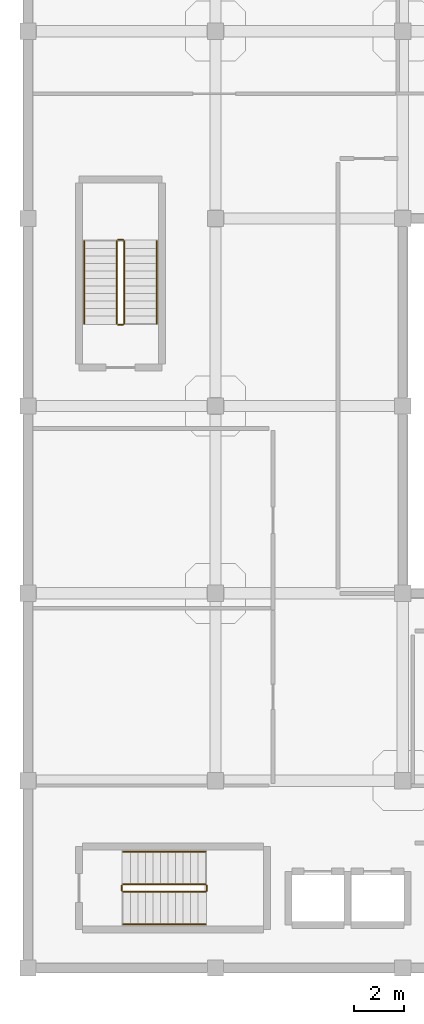
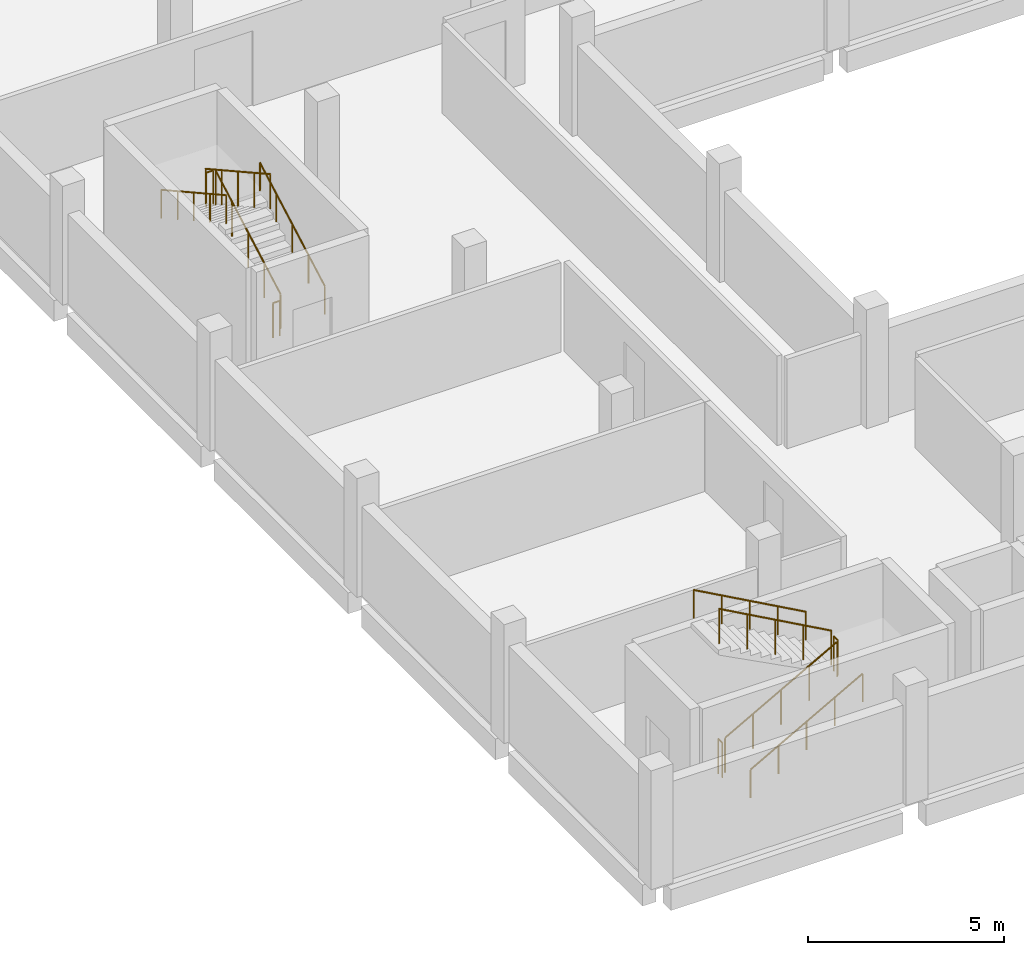
# One storey, part 39 of 47: 12 railings.
"""IFC4 building model written with IfcOpenShell, lengths in metres."""

from ifc_helpers import new_model, si_unit, direction, frame, origin, origin_2d, place, context, subcontext, project, spatial, circle, extrude, material, type_object, element, save


model = new_model("IFC4")

# Units and contexts
model_context = context("Model", 3, precision=1e-05, world=origin(), true_north=direction((0.0, 1.0)))
body_context = subcontext(model_context, "Body", "Model", "MODEL_VIEW")
ifc_project = project(units=[si_unit("LENGTHUNIT", "METRE"), si_unit("AREAUNIT", "SQUARE_METRE"), si_unit("VOLUMEUNIT", "CUBIC_METRE"), si_unit("PLANEANGLEUNIT", "RADIAN"), si_unit("MASSUNIT", "GRAM", prefix="KILO")], contexts=[model_context])

# Site, building, storey
site_placement = place(None, origin())
site = spatial("IfcSite", under=ifc_project, at=site_placement, CompositionType="ELEMENT")
building_placement = place(site_placement, origin())
building = spatial("IfcBuilding", under=site, at=building_placement, Name="Mawjan Specialist Oncology Clinic", CompositionType="ELEMENT")
storey_placement = place(building_placement, frame((0.0, 0.0, 9.5)))
storey = spatial("IfcBuildingStorey", under=building, at=storey_placement, Name="L02", CompositionType="ELEMENT", Elevation=9.5)

# Railings
ifc_material_1 = material(Name="Powder-coated steel stair guard with vertical infill pickets", Category="steel")
railing_type_1 = type_object("IfcRailingType", Name="GR-110", PredefinedType="GUARDRAIL", material=ifc_material_1)
railing_1_placement = place(storey_placement, frame((3.800048828125, 3.85009765625, 0.166748046875)))
element("IfcRailing", 1, at=railing_1_placement, inside=storey, type_object=railing_type_1, Name="L02 ST-01 stair guard 1", PredefinedType="GUARDRAIL", context=body_context, shape_type="SweptSolid", body=[
    extrude(circle(Radius=0.02392578125, at=origin_2d()), frame((0.0, 0.0, 1.076171875), z_axis=(0.874169478083, 0.0, 0.485620966999), x_axis=(0.0, 1.0, 0.0)), (0.0, 0.0, 1.0), 3.775146484375),
    extrude(circle(Radius=0.02099609375, at=origin_2d()), origin(), (0.0, 0.0, 1.0), 1.052001953125),
    extrude(circle(Radius=0.02099609375, at=origin_2d()), frame((0.824951171875, 0.0, 0.458251953125)), (0.0, 0.0, 1.0), 1.052001953125),
    extrude(circle(Radius=0.02099609375, at=origin_2d()), frame((1.64990234375, 0.0, 0.91650390625)), (0.0, 0.0, 1.0), 1.052001953125),
    extrude(circle(Radius=0.02099609375, at=origin_2d()), frame((2.47509765625, 0.0, 1.375)), (0.0, 0.0, 1.0), 1.052001953125),
    extrude(circle(Radius=0.02099609375, at=origin_2d()), frame((3.300048828125, 0.0, 1.833251953125)), (0.0, 0.0, 1.0), 1.052001953125),
])
railing_2_placement = place(storey_placement, frame((7.14990234375, 3.89990234375, 2.0)))
element("IfcRailing", 2, at=railing_2_placement, inside=storey, type_object=railing_type_1, Name="L02 ST-01 stair guard 2", PredefinedType="GUARDRAIL", context=body_context, shape_type="SweptSolid", body=[
    extrude(circle(Radius=0.02392578125, at=origin_2d()), frame((0.0, 0.0, 1.076171875), z_axis=(0.0, 1.0, 0.0), x_axis=(-1.0, 0.0, 0.0)), (0.0, 0.0, 1.0), 0.2001953125),
    extrude(circle(Radius=0.02099609375, at=origin_2d()), origin(), (0.0, 0.0, 1.0), 1.052001953125),
    extrude(circle(Radius=0.02099609375, at=origin_2d()), frame((0.0, 0.2001953125, 0.0)), (0.0, 0.0, 1.0), 1.052001953125),
])
railing_3_placement = place(storey_placement, frame((7.10009765625, 4.14990234375, 2.166748046875)))
element("IfcRailing", 3, at=railing_3_placement, inside=storey, type_object=railing_type_1, Name="L02 ST-01 stair guard 3", PredefinedType="GUARDRAIL", context=body_context, shape_type="SweptSolid", body=[
    extrude(circle(Radius=0.02392578125, at=origin_2d()), frame((0.0, 0.0, 1.076171875), z_axis=(-0.874169478083, 0.0, 0.485620966999), x_axis=(0.0, -1.0, 0.0)), (0.0, 0.0, 1.0), 3.775146484375),
    extrude(circle(Radius=0.02099609375, at=origin_2d()), origin(), (0.0, 0.0, 1.0), 1.052001953125),
    extrude(circle(Radius=0.02099609375, at=origin_2d()), frame((-0.824951171875, 0.0, 0.458251953125)), (0.0, 0.0, 1.0), 1.052001953125),
    extrude(circle(Radius=0.02099609375, at=origin_2d()), frame((-1.64990234375, 0.0, 0.91650390625)), (0.0, 0.0, 1.0), 1.052001953125),
    extrude(circle(Radius=0.02099609375, at=origin_2d()), frame((-2.47509765625, 0.0, 1.375)), (0.0, 0.0, 1.0), 1.052001953125),
    extrude(circle(Radius=0.02099609375, at=origin_2d()), frame((-3.300048828125, 0.0, 1.833251953125)), (0.0, 0.0, 1.0), 1.052001953125),
])
railing_4_placement = place(storey_placement, frame((3.75, 3.89990234375, 0.0)))
element("IfcRailing", 4, at=railing_4_placement, inside=storey, type_object=railing_type_1, Name="L02 ST-01 stair guard 4", PredefinedType="GUARDRAIL", context=body_context, shape_type="SweptSolid", body=[
    extrude(circle(Radius=0.02392578125, at=origin_2d()), frame((0.0, 0.0, 1.076171875), z_axis=(0.0, 1.0, 0.0), x_axis=(-1.0, 0.0, 0.0)), (0.0, 0.0, 1.0), 0.2001953125),
    extrude(circle(Radius=0.02099609375, at=origin_2d()), origin(), (0.0, 0.0, 1.0), 1.052001953125),
    extrude(circle(Radius=0.02099609375, at=origin_2d()), frame((0.0, 0.2001953125, 0.0)), (0.0, 0.0, 1.0), 1.052001953125),
])
railing_5_placement = place(storey_placement, frame((3.85009765625, 26.60009765625, 0.166748046875)))
element("IfcRailing", 5, at=railing_5_placement, inside=storey, type_object=railing_type_1, Name="L02 ST-02 stair guard 1", PredefinedType="GUARDRAIL", context=body_context, shape_type="SweptSolid", body=[
    extrude(circle(Radius=0.02392578125, at=origin_2d()), frame((0.0, 0.0, 1.076171875), z_axis=(0.0, 0.874154225373, 0.485648422486), x_axis=(-1.0, 0.0, 0.0)), (0.0, 0.0, 1.0), 3.77490234375),
    extrude(circle(Radius=0.02099609375, at=origin_2d()), origin(), (0.0, 0.0, 1.0), 1.052001953125),
    extrude(circle(Radius=0.02099609375, at=origin_2d()), frame((0.0, 0.824951171875, 0.458251953125)), (0.0, 0.0, 1.0), 1.052001953125),
    extrude(circle(Radius=0.02099609375, at=origin_2d()), frame((0.0, 1.64990234375, 0.91650390625)), (0.0, 0.0, 1.0), 1.052001953125),
    extrude(circle(Radius=0.02099609375, at=origin_2d()), frame((0.0, 2.474853515625, 1.375)), (0.0, 0.0, 1.0), 1.052001953125),
    extrude(circle(Radius=0.02099609375, at=origin_2d()), frame((0.0, 3.2998046875, 1.833251953125)), (0.0, 0.0, 1.0), 1.052001953125),
])
railing_6_placement = place(storey_placement, frame((3.800048828125, 29.949951171875, 2.0)))
element("IfcRailing", 6, at=railing_6_placement, inside=storey, type_object=railing_type_1, Name="L02 ST-02 stair guard 2", PredefinedType="GUARDRAIL", context=body_context, shape_type="SweptSolid", body=[
    extrude(circle(Radius=0.02392578125, at=origin_2d()), frame((0.0, 0.0, 1.076171875), z_axis=(-1.0, 0.0, 0.0), x_axis=(0.0, -1.0, 0.0)), (0.0, 0.0, 1.0), 0.199951171875),
    extrude(circle(Radius=0.02099609375, at=origin_2d()), origin(), (0.0, 0.0, 1.0), 1.052001953125),
    extrude(circle(Radius=0.02099609375, at=origin_2d()), frame((-0.199951171875, 0.0, 0.0)), (0.0, 0.0, 1.0), 1.052001953125),
])
railing_7_placement = place(storey_placement, frame((3.550048828125, 29.89990234375, 2.166748046875)))
element("IfcRailing", 7, at=railing_7_placement, inside=storey, type_object=railing_type_1, Name="L02 ST-02 stair guard 3", PredefinedType="GUARDRAIL", context=body_context, shape_type="SweptSolid", body=[
    extrude(circle(Radius=0.02392578125, at=origin_2d()), frame((0.0, 0.0, 1.076171875), z_axis=(0.0, -0.874154225373, 0.485648422486), x_axis=(1.0, 0.0, 0.0)), (0.0, 0.0, 1.0), 3.77490234375),
    extrude(circle(Radius=0.02099609375, at=origin_2d()), origin(), (0.0, 0.0, 1.0), 1.052001953125),
    extrude(circle(Radius=0.02099609375, at=origin_2d()), frame((0.0, -0.824951171875, 0.458251953125)), (0.0, 0.0, 1.0), 1.052001953125),
    extrude(circle(Radius=0.02099609375, at=origin_2d()), frame((0.0, -1.64990234375, 0.91650390625)), (0.0, 0.0, 1.0), 1.052001953125),
    extrude(circle(Radius=0.02099609375, at=origin_2d()), frame((0.0, -2.474853515625, 1.375)), (0.0, 0.0, 1.0), 1.052001953125),
    extrude(circle(Radius=0.02099609375, at=origin_2d()), frame((0.0, -3.2998046875, 1.833251953125)), (0.0, 0.0, 1.0), 1.052001953125),
])
railing_8_placement = place(storey_placement, frame((3.800048828125, 26.550048828125, 0.0)))
element("IfcRailing", 8, at=railing_8_placement, inside=storey, type_object=railing_type_1, Name="L02 ST-02 stair guard 4", PredefinedType="GUARDRAIL", context=body_context, shape_type="SweptSolid", body=[
    extrude(circle(Radius=0.02392578125, at=origin_2d()), frame((0.0, 0.0, 1.076171875), z_axis=(-1.0, 0.0, 0.0), x_axis=(0.0, -1.0, 0.0)), (0.0, 0.0, 1.0), 0.199951171875),
    extrude(circle(Radius=0.02099609375, at=origin_2d()), origin(), (0.0, 0.0, 1.0), 1.052001953125),
    extrude(circle(Radius=0.02099609375, at=origin_2d()), frame((-0.199951171875, 0.0, 0.0)), (0.0, 0.0, 1.0), 1.052001953125),
])
ifc_material_2 = material(Name="Brushed stainless-steel tubular handrail", Category="steel")
railing_type_2 = type_object("IfcRailingType", Name="HR-090", PredefinedType="HANDRAIL", material=ifc_material_2)
railing_9_placement = place(storey_placement, frame((3.800048828125, 2.550048828125, 0.166748046875)))
element("IfcRailing", 9, at=railing_9_placement, inside=storey, type_object=railing_type_2, Name="L02 ST-01 stair handrail 1", PredefinedType="HANDRAIL", context=body_context, shape_type="SweptSolid", body=[
    extrude(circle(Radius=0.02392578125, at=origin_2d()), frame((0.0, 0.0, 0.8759765625), z_axis=(0.874169478083, 0.0, 0.485620966999), x_axis=(0.0, 1.0, 0.0)), (0.0, 0.0, 1.0), 3.775146484375),
    extrude(circle(Radius=0.02099609375, at=origin_2d()), origin(), (0.0, 0.0, 1.0), 0.851806640625),
    extrude(circle(Radius=0.02099609375, at=origin_2d()), frame((0.824951171875, 0.0, 0.458251953125)), (0.0, 0.0, 1.0), 0.851806640625),
    extrude(circle(Radius=0.02099609375, at=origin_2d()), frame((1.64990234375, 0.0, 0.91650390625)), (0.0, 0.0, 1.0), 0.851806640625),
    extrude(circle(Radius=0.02099609375, at=origin_2d()), frame((2.47509765625, 0.0, 1.375)), (0.0, 0.0, 1.0), 0.851806640625),
    extrude(circle(Radius=0.02099609375, at=origin_2d()), frame((3.300048828125, 0.0, 1.833251953125)), (0.0, 0.0, 1.0), 0.851806640625),
])
railing_10_placement = place(storey_placement, frame((7.10009765625, 5.449951171875, 2.166748046875)))
element("IfcRailing", 10, at=railing_10_placement, inside=storey, type_object=railing_type_2, Name="L02 ST-01 stair handrail 2", PredefinedType="HANDRAIL", context=body_context, shape_type="SweptSolid", body=[
    extrude(circle(Radius=0.02392578125, at=origin_2d()), frame((0.0, 0.0, 0.8759765625), z_axis=(-0.874169478083, 0.0, 0.485620966999), x_axis=(0.0, -1.0, 0.0)), (0.0, 0.0, 1.0), 3.775146484375),
    extrude(circle(Radius=0.02099609375, at=origin_2d()), origin(), (0.0, 0.0, 1.0), 0.851806640625),
    extrude(circle(Radius=0.02099609375, at=origin_2d()), frame((-0.824951171875, 0.0, 0.458251953125)), (0.0, 0.0, 1.0), 0.851806640625),
    extrude(circle(Radius=0.02099609375, at=origin_2d()), frame((-1.64990234375, 0.0, 0.91650390625)), (0.0, 0.0, 1.0), 0.851806640625),
    extrude(circle(Radius=0.02099609375, at=origin_2d()), frame((-2.47509765625, 0.0, 1.375)), (0.0, 0.0, 1.0), 0.851806640625),
    extrude(circle(Radius=0.02099609375, at=origin_2d()), frame((-3.300048828125, 0.0, 1.833251953125)), (0.0, 0.0, 1.0), 0.851806640625),
])
railing_11_placement = place(storey_placement, frame((5.14990234375, 26.60009765625, 0.166748046875)))
element("IfcRailing", 11, at=railing_11_placement, inside=storey, type_object=railing_type_2, Name="L02 ST-02 stair handrail 1", PredefinedType="HANDRAIL", context=body_context, shape_type="SweptSolid", body=[
    extrude(circle(Radius=0.02392578125, at=origin_2d()), frame((0.0, 0.0, 0.8759765625), z_axis=(0.0, 0.874154225373, 0.485648422486), x_axis=(-1.0, 0.0, 0.0)), (0.0, 0.0, 1.0), 3.77490234375),
    extrude(circle(Radius=0.02099609375, at=origin_2d()), origin(), (0.0, 0.0, 1.0), 0.851806640625),
    extrude(circle(Radius=0.02099609375, at=origin_2d()), frame((0.0, 0.824951171875, 0.458251953125)), (0.0, 0.0, 1.0), 0.851806640625),
    extrude(circle(Radius=0.02099609375, at=origin_2d()), frame((0.0, 1.64990234375, 0.91650390625)), (0.0, 0.0, 1.0), 0.851806640625),
    extrude(circle(Radius=0.02099609375, at=origin_2d()), frame((0.0, 2.474853515625, 1.375)), (0.0, 0.0, 1.0), 0.851806640625),
    extrude(circle(Radius=0.02099609375, at=origin_2d()), frame((0.0, 3.2998046875, 1.833251953125)), (0.0, 0.0, 1.0), 0.851806640625),
])
railing_12_placement = place(storey_placement, frame((2.25, 29.89990234375, 2.166748046875)))
element("IfcRailing", 12, at=railing_12_placement, inside=storey, type_object=railing_type_2, Name="L02 ST-02 stair handrail 2", PredefinedType="HANDRAIL", context=body_context, shape_type="SweptSolid", body=[
    extrude(circle(Radius=0.02392578125, at=origin_2d()), frame((0.0, 0.0, 0.8759765625), z_axis=(0.0, -0.874154225373, 0.485648422486), x_axis=(1.0, 0.0, 0.0)), (0.0, 0.0, 1.0), 3.77490234375),
    extrude(circle(Radius=0.02099609375, at=origin_2d()), origin(), (0.0, 0.0, 1.0), 0.851806640625),
    extrude(circle(Radius=0.02099609375, at=origin_2d()), frame((0.0, -0.824951171875, 0.458251953125)), (0.0, 0.0, 1.0), 0.851806640625),
    extrude(circle(Radius=0.02099609375, at=origin_2d()), frame((0.0, -1.64990234375, 0.91650390625)), (0.0, 0.0, 1.0), 0.851806640625),
    extrude(circle(Radius=0.02099609375, at=origin_2d()), frame((0.0, -2.474853515625, 1.375)), (0.0, 0.0, 1.0), 0.851806640625),
    extrude(circle(Radius=0.02099609375, at=origin_2d()), frame((0.0, -3.2998046875, 1.833251953125)), (0.0, 0.0, 1.0), 0.851806640625),
])

save(model, "model.ifc")
